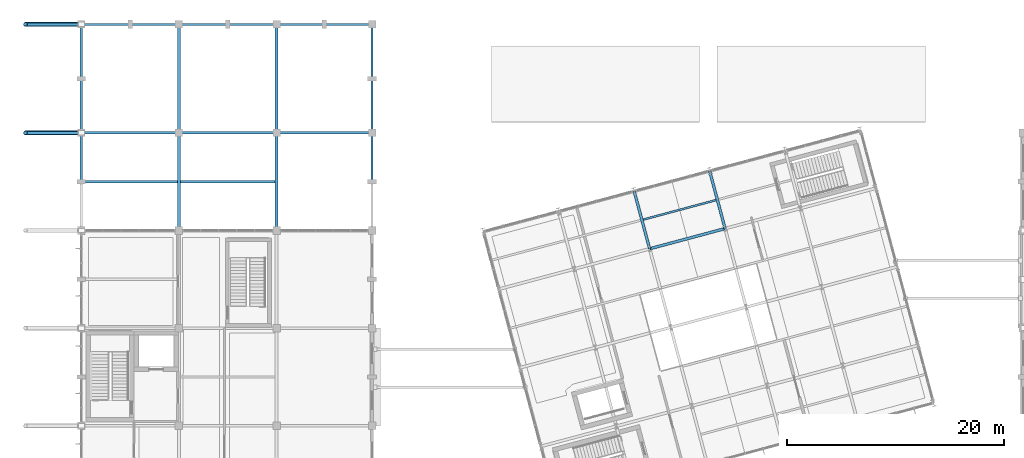
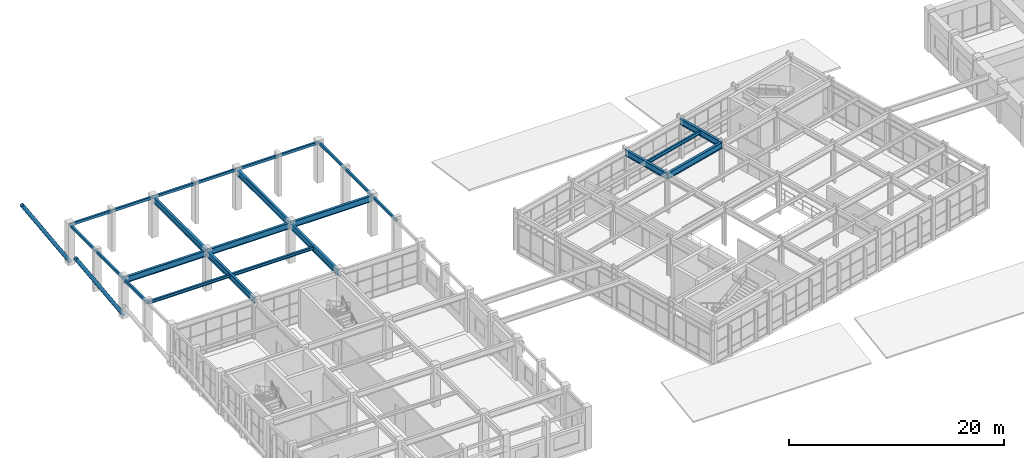
# One storey, part 43 of 104: 25 beams, 2 members.
"""IFC4 building model written with IfcOpenShell, lengths in metres."""

from ifc_helpers import new_model, si_unit, direction, frame, origin, origin_2d, place, context, subcontext, project, spatial, hollow_rectangle, hollow_circle, i_section, extrude, material, material_profile, profile_set, type_object, element, save


model = new_model("IFC4")

# Units and contexts
model_context = context("Model", 3, precision=1e-05, world=origin(), true_north=direction((0.0, 1.0)))
body_context = subcontext(model_context, "Body", "Model", "MODEL_VIEW")
ifc_project = project(units=[si_unit("LENGTHUNIT", "METRE"), si_unit("AREAUNIT", "SQUARE_METRE"), si_unit("VOLUMEUNIT", "CUBIC_METRE"), si_unit("PLANEANGLEUNIT", "RADIAN"), si_unit("MASSUNIT", "GRAM", prefix="KILO")], contexts=[model_context])

# Site, building, storey
site_placement = place(None, origin())
site = spatial("IfcSite", under=ifc_project, at=site_placement, CompositionType="ELEMENT")
building_placement = place(site_placement, origin())
building = spatial("IfcBuilding", under=site, at=building_placement, Name="Ventoquebrada Cableway Terminal", CompositionType="ELEMENT")
storey_placement = place(building_placement, frame((0.0, 0.0, 4.800048828125)))
storey = spatial("IfcBuildingStorey", under=building, at=storey_placement, Name="L01", CompositionType="ELEMENT", Elevation=4.800048828125)

# Beams
ifc_material_1 = material(Name="Steel ASTM A992 Grade 50", Category="steel")
ifc_material_profile_1 = material_profile(ifc_material_1, i_section(OverallWidth=0.25390625, OverallDepth=0.68798828125, WebThickness=0.01318359375, FlangeThickness=0.02099609375, at=origin_2d()), Name="W27X102")
ifc_profile_set_1 = profile_set([ifc_material_profile_1], Name="Steel ASTM A992 Grade 50")
beam_type_1 = type_object("IfcBeamType", Name="BM-ST04", PredefinedType="BEAM", material=ifc_profile_set_1)
for number, where, z_axis, x_axis, name in (
    (1, (8.199951171875, 104.0, 4.120849609375), (1.0, 0.0, 0.0), (0.0, 1.0, 0.0), "Primary frame girder FBM-0395"),
    (2, (17.199951171875, 104.0, 4.120849609375), (1.0, 0.0, 0.0), (0.0, 1.0, 0.0), "Primary frame girder FBM-0396"),
):
    element("IfcBeam", number, at=place(storey_placement, frame(where, z_axis=z_axis, x_axis=x_axis)), inside=storey, type_object=beam_type_1, Name=name, PredefinedType="BEAM", context=body_context, shape_type="SweptSolid", body=[
        extrude(i_section(OverallWidth=0.25390625, OverallDepth=0.68798828125, WebThickness=0.01318359375, FlangeThickness=0.02099609375, at=origin_2d()), origin(), (0.0, 0.0, 1.0), 9.0),
    ])
beam_1_placement = place(storey_placement, frame((26.199951171875, 104.0, 4.120849609375), z_axis=(1.0, 0.0, 0.0), x_axis=(0.0, 1.0, 0.0)))
element("IfcBeam", 3, at=beam_1_placement, inside=storey, type_object=beam_type_1, Name="Primary frame girder FBM-0397", PredefinedType="BEAM", context=body_context, shape_type="SweptSolid", body=[
    extrude(i_section(OverallWidth=0.25390625, OverallDepth=0.68798828125, WebThickness=0.01318359375, FlangeThickness=0.02099609375, at=origin_2d()), origin(), (0.0, 0.0, 1.0), 8.800048828125),
])
beam_2_placement = place(storey_placement, frame((17.199951171875, 95.0, 4.120849609375), z_axis=(0.0, 1.0, 0.0), x_axis=(-1.0, 0.0, 0.0)))
element("IfcBeam", 4, at=beam_2_placement, inside=storey, type_object=beam_type_1, Name="Primary frame girder FBM-0419", PredefinedType="BEAM", context=body_context, shape_type="SweptSolid", body=[
    extrude(i_section(OverallWidth=0.25390625, OverallDepth=0.68798828125, WebThickness=0.01318359375, FlangeThickness=0.02099609375, at=origin_2d()), origin(), (0.0, 0.0, 1.0), 9.0),
])
beam_3_placement = place(storey_placement, frame((17.199951171875, 104.0, 4.18603515625), z_axis=(0.0, 1.0, 0.0), x_axis=(-1.0, 0.0, 0.0)))
element("IfcBeam", 5, at=beam_3_placement, inside=storey, type_object=beam_type_1, Name="Primary frame girder FBM-0420", PredefinedType="BEAM", context=body_context, shape_type="SweptSolid", body=[
    extrude(i_section(OverallWidth=0.25390625, OverallDepth=0.68798828125, WebThickness=0.01318359375, FlangeThickness=0.02099609375, at=origin_2d()), origin(), (0.0, 0.0, 1.0), 10.0),
])
beam_4_placement = place(storey_placement, frame((26.199951171875, 95.0, 4.120849609375), z_axis=(0.0, 1.0, 0.0), x_axis=(-1.0, 0.0, 0.0)))
element("IfcBeam", 6, at=beam_4_placement, inside=storey, type_object=beam_type_1, Name="Primary frame girder FBM-0425", PredefinedType="BEAM", context=body_context, shape_type="SweptSolid", body=[
    extrude(i_section(OverallWidth=0.25390625, OverallDepth=0.68798828125, WebThickness=0.01318359375, FlangeThickness=0.02099609375, at=origin_2d()), origin(), (0.0, 0.0, 1.0), 9.0),
])
beam_5_placement = place(storey_placement, frame((26.199951171875, 104.0, 4.18603515625), z_axis=(0.0, 1.0, 0.0), x_axis=(-1.0, 0.0, 0.0)))
element("IfcBeam", 7, at=beam_5_placement, inside=storey, type_object=beam_type_1, Name="Primary frame girder FBM-0426", PredefinedType="BEAM", context=body_context, shape_type="SweptSolid", body=[
    extrude(i_section(OverallWidth=0.25390625, OverallDepth=0.68798828125, WebThickness=0.01318359375, FlangeThickness=0.02099609375, at=origin_2d()), origin(), (0.0, 0.0, 1.0), 10.0),
])
beam_6_placement = place(storey_placement, frame((60.58203125, 93.31298828125, 4.130859375), z_axis=(-0.258941703614, 0.965892951693, 0.0), x_axis=(-0.965892951693, -0.258941703614, 0.0)))
element("IfcBeam", 8, at=beam_6_placement, inside=storey, type_object=beam_type_1, Name="Splayed station girder FBM-1028", PredefinedType="BEAM", context=body_context, shape_type="SweptSolid", body=[
    extrude(i_section(OverallWidth=0.25390625, OverallDepth=0.68798828125, WebThickness=0.01318359375, FlangeThickness=0.02099609375, at=origin_2d()), origin(), (0.0, 0.0, 1.0), 5.49951171875),
])
beam_7_placement = place(storey_placement, frame((67.535888671875, 95.176025390625, 4.130859375), z_axis=(-0.258690231517, 0.96596033258, 0.0), x_axis=(-0.96596033258, -0.258690231517, 0.0)))
element("IfcBeam", 9, at=beam_7_placement, inside=storey, type_object=beam_type_1, Name="Splayed station girder FBM-1032", PredefinedType="BEAM", context=body_context, shape_type="SweptSolid", body=[
    extrude(i_section(OverallWidth=0.25390625, OverallDepth=0.68798828125, WebThickness=0.01318359375, FlangeThickness=0.02099609375, at=origin_2d()), origin(), (0.0, 0.0, 1.0), 5.500244140625),
])
beam_8_placement = place(storey_placement, frame((60.58203125, 93.31298828125, 4.130859375), z_axis=(0.965934277216, 0.258787503754, 0.0), x_axis=(-0.258787503754, 0.965934277216, 0.0)))
element("IfcBeam", 10, at=beam_8_placement, inside=storey, type_object=beam_type_1, Name="Splayed station girder FBM-1058", PredefinedType="BEAM", context=body_context, shape_type="SweptSolid", body=[
    extrude(i_section(OverallWidth=0.25390625, OverallDepth=0.68798828125, WebThickness=0.01318359375, FlangeThickness=0.02099609375, at=origin_2d()), origin(), (0.0, 0.0, 1.0), 7.19921875),
])
ifc_material_profile_2 = material_profile(ifc_material_1, i_section(OverallWidth=0.2041015625, OverallDepth=0.35009765625, WebThickness=0.008544921875, FlangeThickness=0.01513671875, at=origin_2d()), Name="W14X48")
ifc_profile_set_2 = profile_set([ifc_material_profile_2], Name="Steel ASTM A992 Grade 50")
beam_type_2 = type_object("IfcBeamType", Name="JST-ST05", PredefinedType="JOIST", material=ifc_profile_set_2)
beam_9_placement = place(storey_placement, frame((8.300048828125, 99.5, 4.2900390625), z_axis=(1.0, 0.0, 0.0), x_axis=(0.0, 1.0, 0.0)))
element("IfcBeam", 11, at=beam_9_placement, inside=storey, type_object=beam_type_2, Name="Secondary floor joist JB-012", PredefinedType="JOIST", context=body_context, shape_type="SweptSolid", body=[
    extrude(i_section(OverallWidth=0.2041015625, OverallDepth=0.35009765625, WebThickness=0.008544921875, FlangeThickness=0.01513671875, at=origin_2d()), origin(), (0.0, 0.0, 1.0), 8.77294921875),
])
beam_10_placement = place(storey_placement, frame((17.326904296875, 99.5, 4.2900390625), z_axis=(1.0, 0.0, 0.0), x_axis=(0.0, 1.0, 0.0)))
element("IfcBeam", 12, at=beam_10_placement, inside=storey, type_object=beam_type_2, Name="Secondary floor joist JB-015", PredefinedType="JOIST", context=body_context, shape_type="SweptSolid", body=[
    extrude(i_section(OverallWidth=0.2041015625, OverallDepth=0.35009765625, WebThickness=0.008544921875, FlangeThickness=0.01513671875, at=origin_2d()), origin(), (0.0, 0.0, 1.0), 8.74609375),
])
ifc_material_profile_3 = material_profile(ifc_material_1, i_section(OverallWidth=0.177978515625, OverallDepth=0.406005859375, WebThickness=0.0078125, FlangeThickness=0.0126953125, at=origin_2d()), Name="W16X40")
ifc_profile_set_3 = profile_set([ifc_material_profile_3], Name="Steel ASTM A992 Grade 50")
beam_type_3 = type_object("IfcBeamType", Name="JST-ST06", PredefinedType="JOIST", material=ifc_profile_set_3)
beam_11_placement = place(storey_placement, frame((59.991943359375, 96.001953125, 4.27197265625), z_axis=(0.965919812794, 0.258841486728, 0.0), x_axis=(-0.258841486728, 0.965919812794, 0.0)))
element("IfcBeam", 13, at=beam_11_placement, inside=storey, type_object=beam_type_3, Name="Splayed deck joist FBM-1073", PredefinedType="JOIST", context=body_context, shape_type="SweptSolid", body=[
    extrude(i_section(OverallWidth=0.177978515625, OverallDepth=0.406005859375, WebThickness=0.0078125, FlangeThickness=0.0126953125, at=origin_2d()), origin(), (0.0, 0.0, 1.0), 6.94677734375),
])
ifc_material_2 = material(Name="Steel ASTM A500 Grade C", Category="steel")
ifc_material_profile_4 = material_profile(ifc_material_2, hollow_rectangle(XDim=0.199951171875, YDim=0.300048828125, WallThickness=0.012451171875, at=origin_2d()), Name="RHS300X200X12.5")
ifc_profile_set_4 = profile_set([ifc_material_profile_4], Name="Steel ASTM A500 Grade C")
beam_type_4 = type_object("IfcBeamType", Name="SP-ST02", PredefinedType="SPANDREL", material=ifc_profile_set_4)
for number, where, z_axis, x_axis, name in (
    (14, (8.199951171875, 114.0, 4.3798828125), (1.0, 0.0, 0.0), (0.0, 1.0, 0.0), "Perimeter spandrel beam FBM-0398"),
    (15, (12.699951171875, 114.0, 4.3798828125), (1.0, 0.0, 0.0), (0.0, 1.0, 0.0), "Perimeter spandrel beam FBM-0399"),
    (16, (17.199951171875, 114.0, 4.3798828125), (1.0, 0.0, 0.0), (0.0, 1.0, 0.0), "Perimeter spandrel beam FBM-0400"),
    (17, (21.699951171875, 114.0, 4.3798828125), (1.0, 0.0, 0.0), (0.0, 1.0, 0.0), "Perimeter spandrel beam FBM-0401"),
):
    element("IfcBeam", number, at=place(storey_placement, frame(where, z_axis=z_axis, x_axis=x_axis)), inside=storey, type_object=beam_type_4, Name=name, PredefinedType="SPANDREL", context=body_context, shape_type="SweptSolid", body=[
        extrude(hollow_rectangle(XDim=0.199951171875, YDim=0.300048828125, WallThickness=0.012451171875, at=origin_2d()), origin(), (0.0, 0.0, 1.0), 4.5),
    ])
beam_12_placement = place(storey_placement, frame((26.199951171875, 114.0, 4.3798828125), z_axis=(1.0, 0.0, 0.0), x_axis=(0.0, 1.0, 0.0)))
element("IfcBeam", 18, at=beam_12_placement, inside=storey, type_object=beam_type_4, Name="Perimeter spandrel beam FBM-0402", PredefinedType="SPANDREL", context=body_context, shape_type="SweptSolid", body=[
    extrude(hollow_rectangle(XDim=0.199951171875, YDim=0.300048828125, WallThickness=0.012451171875, at=origin_2d()), origin(), (0.0, 0.0, 1.0), 4.400146484375),
])
beam_13_placement = place(storey_placement, frame((30.60009765625, 114.0, 4.3798828125), z_axis=(1.0, 0.0, 0.0), x_axis=(0.0, 1.0, 0.0)))
element("IfcBeam", 19, at=beam_13_placement, inside=storey, type_object=beam_type_4, Name="Perimeter spandrel beam FBM-0403", PredefinedType="SPANDREL", context=body_context, shape_type="SweptSolid", body=[
    extrude(hollow_rectangle(XDim=0.199951171875, YDim=0.300048828125, WallThickness=0.012451171875, at=origin_2d()), origin(), (0.0, 0.0, 1.0), 4.39990234375),
])
beam_14_placement = place(storey_placement, frame((8.199951171875, 99.5, 4.31494140625), z_axis=(0.0, 1.0, 0.0), x_axis=(-1.0, 0.0, 0.0)))
element("IfcBeam", 20, at=beam_14_placement, inside=storey, type_object=beam_type_4, Name="Perimeter spandrel beam FBM-0412", PredefinedType="SPANDREL", context=body_context, shape_type="SweptSolid", body=[
    extrude(hollow_rectangle(XDim=0.199951171875, YDim=0.300048828125, WallThickness=0.012451171875, at=origin_2d()), origin(), (0.0, 0.0, 1.0), 4.5),
])
for number, where, z_axis, x_axis, name in (
    (21, (8.199951171875, 104.0, 4.3798828125), (0.0, 1.0, 0.0), (-1.0, 0.0, 0.0), "Perimeter spandrel beam FBM-0413"),
    (22, (8.199951171875, 109.0, 4.3798828125), (0.0, 1.0, 0.0), (-1.0, 0.0, 0.0), "Perimeter spandrel beam FBM-0414"),
):
    element("IfcBeam", number, at=place(storey_placement, frame(where, z_axis=z_axis, x_axis=x_axis)), inside=storey, type_object=beam_type_4, Name=name, PredefinedType="SPANDREL", context=body_context, shape_type="SweptSolid", body=[
        extrude(hollow_rectangle(XDim=0.199951171875, YDim=0.300048828125, WallThickness=0.012451171875, at=origin_2d()), origin(), (0.0, 0.0, 1.0), 5.0),
    ])
beam_15_placement = place(storey_placement, frame((35.0, 99.5, 4.31494140625), z_axis=(0.0, 1.0, 0.0), x_axis=(-1.0, 0.0, 0.0)))
element("IfcBeam", 23, at=beam_15_placement, inside=storey, type_object=beam_type_4, Name="Perimeter spandrel beam FBM-0435", PredefinedType="SPANDREL", context=body_context, shape_type="SweptSolid", body=[
    extrude(hollow_rectangle(XDim=0.199951171875, YDim=0.300048828125, WallThickness=0.012451171875, at=origin_2d()), origin(), (0.0, 0.0, 1.0), 4.5),
])
for number, where, z_axis, x_axis, name in (
    (24, (35.0, 104.0, 4.3798828125), (0.0, 1.0, 0.0), (-1.0, 0.0, 0.0), "Perimeter spandrel beam FBM-0436"),
    (25, (35.0, 109.0, 4.3798828125), (0.0, 1.0, 0.0), (-1.0, 0.0, 0.0), "Perimeter spandrel beam FBM-0437"),
):
    element("IfcBeam", number, at=place(storey_placement, frame(where, z_axis=z_axis, x_axis=x_axis)), inside=storey, type_object=beam_type_4, Name=name, PredefinedType="SPANDREL", context=body_context, shape_type="SweptSolid", body=[
        extrude(hollow_rectangle(XDim=0.199951171875, YDim=0.300048828125, WallThickness=0.012451171875, at=origin_2d()), origin(), (0.0, 0.0, 1.0), 5.0),
    ])

# Members
ifc_material_profile_5 = material_profile(ifc_material_2, hollow_circle(Radius=0.203125, WallThickness=0.01611328125, at=origin_2d()), Name="CHS406.4X16")
ifc_profile_set_5 = profile_set([ifc_material_profile_5], Name="Steel ASTM A500 Grade C")
member_type = type_object("IfcMemberType", Name="STR-RK01", PredefinedType="STRUT", material=ifc_profile_set_5)
for number, where, z_axis, x_axis, name in (
    (26, (8.199951171875, 104.0, 0.199951171875), (-0.530964723837, 0.0, 0.847393923769), (0.0, -1.0, 0.0), "Cantilever steel raker strut RK-04"),
    (27, (8.199951171875, 114.0, 0.199951171875), (-0.530964723837, 0.0, 0.847393923769), (0.0, -1.0, 0.0), "Cantilever steel raker strut RK-05"),
):
    element("IfcMember", number, at=place(storey_placement, frame(where, z_axis=z_axis, x_axis=x_axis)), inside=storey, type_object=member_type, Name=name, PredefinedType="STRUT", context=body_context, shape_type="SweptSolid", body=[
        extrude(hollow_circle(Radius=0.203125, WallThickness=0.01611328125, at=origin_2d()), origin(), (0.0, 0.0, 1.0), 9.69921875),
    ])

save(model, "model.ifc")
